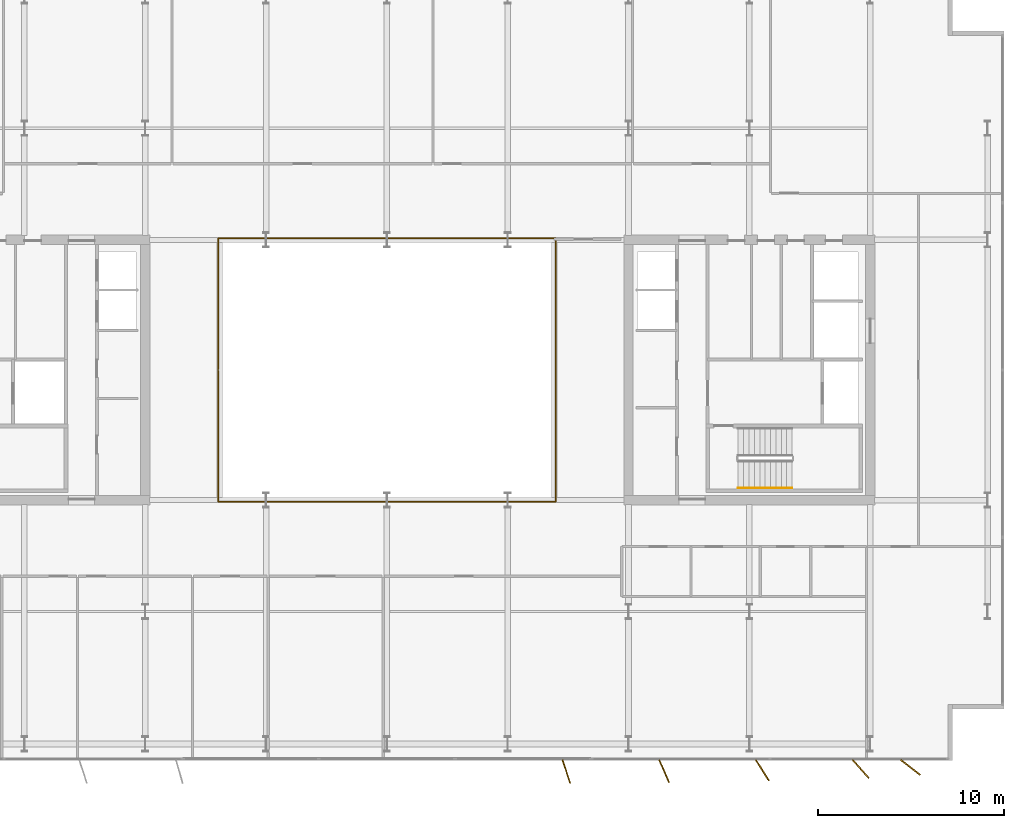
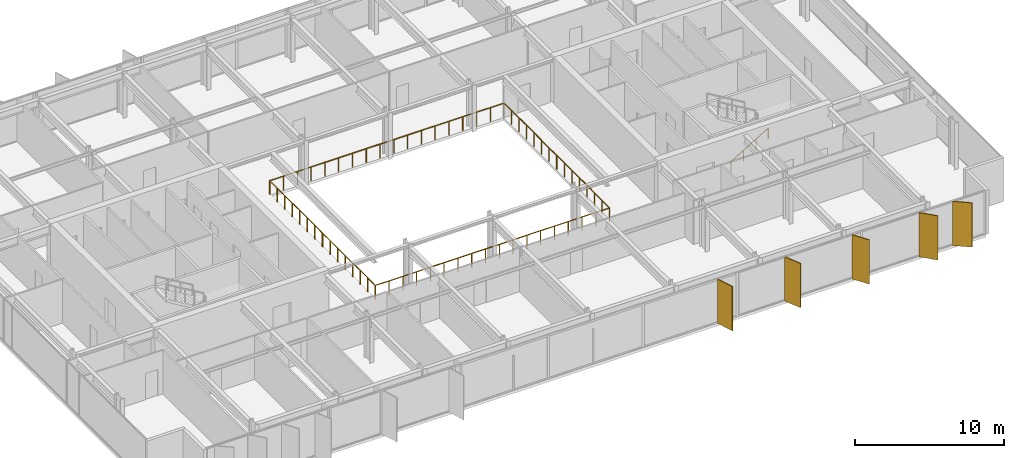
# One storey, part 21 of 23: 5 shading devices, 3 railings.
"""IFC4 building model written with IfcOpenShell, lengths in metres."""

from ifc_helpers import new_model, si_unit, direction, frame, origin, origin_2d, place, context, subcontext, project, spatial, rectangle, circle, extrude, material, layer, layer_set, type_object, element, save


model = new_model("IFC4")

# Units and contexts
model_context = context("Model", 3, precision=1e-05, world=origin(), true_north=direction((0.0, 1.0)))
body_context = subcontext(model_context, "Body", "Model", "MODEL_VIEW")
ifc_project = project(units=[si_unit("LENGTHUNIT", "METRE"), si_unit("AREAUNIT", "SQUARE_METRE"), si_unit("VOLUMEUNIT", "CUBIC_METRE"), si_unit("PLANEANGLEUNIT", "RADIAN"), si_unit("MASSUNIT", "GRAM", prefix="KILO")], contexts=[model_context])

# Site, building, storey
site_placement = place(None, origin())
site = spatial("IfcSite", under=ifc_project, at=site_placement, CompositionType="ELEMENT")
building_placement = place(site_placement, origin())
building = spatial("IfcBuilding", under=site, at=building_placement, Name="Putna Gate Headquarters", CompositionType="ELEMENT")
storey_placement = place(building_placement, frame((0.0, 0.0, 221.39990234375)))
storey = spatial("IfcBuildingStorey", under=building, at=storey_placement, Name="L55", CompositionType="ELEMENT", Elevation=221.39990234375)

# Railings
ifc_material_1 = material(Name="Anodised bronze and laminated glass atrium balustrade", Category="glass")
railing_type_1 = type_object("IfcRailingType", Name="RAIL-ATRIUM-GUARD-1150", PredefinedType="GUARDRAIL", material=ifc_material_1)
railing_1_placement = place(storey_placement, frame((29.919921875, 25.969970703125, 0.0)))
element("IfcRailing", 1, at=railing_1_placement, inside=storey, type_object=railing_type_1, Name="L55 Central Atrium Glazed Balustrade South", PredefinedType="GUARDRAIL", context=body_context, shape_type="SweptSolid", body=[
    extrude(circle(Radius=0.02392578125, at=origin_2d()), frame((0.0, 0.0, 1.1259765625), z_axis=(0.0, -1.0, 0.0), x_axis=(1.0, 0.0, 0.0)), (0.0, 0.0, 1.0), 7.050048828125),
    extrude(circle(Radius=0.02392578125, at=origin_2d()), frame((0.0, -7.050048828125, 1.1259765625), z_axis=(1.0, 0.0, 0.0), x_axis=(0.0, 1.0, 0.0)), (0.0, 0.0, 1.0), 18.16015625),
    extrude(circle(Radius=0.02392578125, at=origin_2d()), frame((18.16015625, -7.050048828125, 1.1259765625), z_axis=(0.0, 1.0, 0.0), x_axis=(-1.0, 0.0, 0.0)), (0.0, 0.0, 1.0), 7.050048828125),
    extrude(circle(Radius=0.02099609375, at=origin_2d()), origin(), (0.0, 0.0, 1.0), 1.101806640625),
    extrude(circle(Radius=0.02099609375, at=origin_2d()), frame((0.0, -1.007080078125, 0.0)), (0.0, 0.0, 1.0), 1.101806640625),
    extrude(circle(Radius=0.02099609375, at=origin_2d()), frame((0.0, -2.014404296875, 0.0)), (0.0, 0.0, 1.0), 1.101806640625),
    extrude(circle(Radius=0.02099609375, at=origin_2d()), frame((0.0, -3.021484375, 0.0)), (0.0, 0.0, 1.0), 1.101806640625),
    extrude(circle(Radius=0.02099609375, at=origin_2d()), frame((0.0, -4.028564453125, 0.0)), (0.0, 0.0, 1.0), 1.101806640625),
    extrude(circle(Radius=0.02099609375, at=origin_2d()), frame((0.0, -5.03564453125, 0.0)), (0.0, 0.0, 1.0), 1.101806640625),
    extrude(circle(Radius=0.02099609375, at=origin_2d()), frame((0.0, -6.04296875, 0.0)), (0.0, 0.0, 1.0), 1.101806640625),
    extrude(circle(Radius=0.02099609375, at=origin_2d()), frame((0.0, -7.050048828125, 0.0)), (0.0, 0.0, 1.0), 1.101806640625),
    extrude(circle(Radius=0.02099609375, at=origin_2d()), frame((1.068359375, -7.050048828125, 0.0)), (0.0, 0.0, 1.0), 1.101806640625),
    extrude(circle(Radius=0.02099609375, at=origin_2d()), frame((2.136474609375, -7.050048828125, 0.0)), (0.0, 0.0, 1.0), 1.101806640625),
    extrude(circle(Radius=0.02099609375, at=origin_2d()), frame((3.204833984375, -7.050048828125, 0.0)), (0.0, 0.0, 1.0), 1.101806640625),
    extrude(circle(Radius=0.02099609375, at=origin_2d()), frame((4.27294921875, -7.050048828125, 0.0)), (0.0, 0.0, 1.0), 1.101806640625),
    extrude(circle(Radius=0.02099609375, at=origin_2d()), frame((5.34130859375, -7.050048828125, 0.0)), (0.0, 0.0, 1.0), 1.101806640625),
    extrude(circle(Radius=0.02099609375, at=origin_2d()), frame((6.409423828125, -7.050048828125, 0.0)), (0.0, 0.0, 1.0), 1.101806640625),
    extrude(circle(Radius=0.02099609375, at=origin_2d()), frame((7.477783203125, -7.050048828125, 0.0)), (0.0, 0.0, 1.0), 1.101806640625),
    extrude(circle(Radius=0.02099609375, at=origin_2d()), frame((8.5458984375, -7.050048828125, 0.0)), (0.0, 0.0, 1.0), 1.101806640625),
    extrude(circle(Radius=0.02099609375, at=origin_2d()), frame((9.6142578125, -7.050048828125, 0.0)), (0.0, 0.0, 1.0), 1.101806640625),
    extrude(circle(Radius=0.02099609375, at=origin_2d()), frame((10.682373046875, -7.050048828125, 0.0)), (0.0, 0.0, 1.0), 1.101806640625),
    extrude(circle(Radius=0.02099609375, at=origin_2d()), frame((11.750732421875, -7.050048828125, 0.0)), (0.0, 0.0, 1.0), 1.101806640625),
    extrude(circle(Radius=0.02099609375, at=origin_2d()), frame((12.81884765625, -7.050048828125, 0.0)), (0.0, 0.0, 1.0), 1.101806640625),
    extrude(circle(Radius=0.02099609375, at=origin_2d()), frame((13.88720703125, -7.050048828125, 0.0)), (0.0, 0.0, 1.0), 1.101806640625),
    extrude(circle(Radius=0.02099609375, at=origin_2d()), frame((14.955322265625, -7.050048828125, 0.0)), (0.0, 0.0, 1.0), 1.101806640625),
    extrude(circle(Radius=0.02099609375, at=origin_2d()), frame((16.023681640625, -7.050048828125, 0.0)), (0.0, 0.0, 1.0), 1.101806640625),
    extrude(circle(Radius=0.02099609375, at=origin_2d()), frame((17.091796875, -7.050048828125, 0.0)), (0.0, 0.0, 1.0), 1.101806640625),
    extrude(circle(Radius=0.02099609375, at=origin_2d()), frame((18.16015625, -7.050048828125, 0.0)), (0.0, 0.0, 1.0), 1.101806640625),
    extrude(circle(Radius=0.02099609375, at=origin_2d()), frame((18.16015625, -6.04296875, 0.0)), (0.0, 0.0, 1.0), 1.101806640625),
    extrude(circle(Radius=0.02099609375, at=origin_2d()), frame((18.16015625, -5.03564453125, 0.0)), (0.0, 0.0, 1.0), 1.101806640625),
    extrude(circle(Radius=0.02099609375, at=origin_2d()), frame((18.16015625, -4.028564453125, 0.0)), (0.0, 0.0, 1.0), 1.101806640625),
    extrude(circle(Radius=0.02099609375, at=origin_2d()), frame((18.16015625, -3.021484375, 0.0)), (0.0, 0.0, 1.0), 1.101806640625),
    extrude(circle(Radius=0.02099609375, at=origin_2d()), frame((18.16015625, -2.014404296875, 0.0)), (0.0, 0.0, 1.0), 1.101806640625),
    extrude(circle(Radius=0.02099609375, at=origin_2d()), frame((18.16015625, -1.007080078125, 0.0)), (0.0, 0.0, 1.0), 1.101806640625),
    extrude(circle(Radius=0.02099609375, at=origin_2d()), frame((18.16015625, 0.0, 0.0)), (0.0, 0.0, 1.0), 1.101806640625),
])
railing_2_placement = place(storey_placement, frame((48.080078125, 26.030029296875, 0.0)))
element("IfcRailing", 2, at=railing_2_placement, inside=storey, type_object=railing_type_1, Name="L55 Central Atrium Glazed Balustrade North", PredefinedType="GUARDRAIL", context=body_context, shape_type="SweptSolid", body=[
    extrude(circle(Radius=0.02392578125, at=origin_2d()), frame((0.0, 0.0, 1.1259765625), z_axis=(0.0, 1.0, 0.0), x_axis=(-1.0, 0.0, 0.0)), (0.0, 0.0, 1.0), 7.050048828125),
    extrude(circle(Radius=0.02392578125, at=origin_2d()), frame((0.0, 7.050048828125, 1.1259765625), z_axis=(-1.0, 0.0, 0.0), x_axis=(0.0, -1.0, 0.0)), (0.0, 0.0, 1.0), 18.16015625),
    extrude(circle(Radius=0.02392578125, at=origin_2d()), frame((-18.16015625, 7.050048828125, 1.1259765625), z_axis=(0.0, -1.0, 0.0), x_axis=(1.0, 0.0, 0.0)), (0.0, 0.0, 1.0), 7.050048828125),
    extrude(circle(Radius=0.02099609375, at=origin_2d()), origin(), (0.0, 0.0, 1.0), 1.101806640625),
    extrude(circle(Radius=0.02099609375, at=origin_2d()), frame((0.0, 1.007080078125, 0.0)), (0.0, 0.0, 1.0), 1.101806640625),
    extrude(circle(Radius=0.02099609375, at=origin_2d()), frame((0.0, 2.014404296875, 0.0)), (0.0, 0.0, 1.0), 1.101806640625),
    extrude(circle(Radius=0.02099609375, at=origin_2d()), frame((0.0, 3.021484375, 0.0)), (0.0, 0.0, 1.0), 1.101806640625),
    extrude(circle(Radius=0.02099609375, at=origin_2d()), frame((0.0, 4.028564453125, 0.0)), (0.0, 0.0, 1.0), 1.101806640625),
    extrude(circle(Radius=0.02099609375, at=origin_2d()), frame((0.0, 5.03564453125, 0.0)), (0.0, 0.0, 1.0), 1.101806640625),
    extrude(circle(Radius=0.02099609375, at=origin_2d()), frame((0.0, 6.04296875, 0.0)), (0.0, 0.0, 1.0), 1.101806640625),
    extrude(circle(Radius=0.02099609375, at=origin_2d()), frame((0.0, 7.050048828125, 0.0)), (0.0, 0.0, 1.0), 1.101806640625),
    extrude(circle(Radius=0.02099609375, at=origin_2d()), frame((-1.068359375, 7.050048828125, 0.0)), (0.0, 0.0, 1.0), 1.101806640625),
    extrude(circle(Radius=0.02099609375, at=origin_2d()), frame((-2.136474609375, 7.050048828125, 0.0)), (0.0, 0.0, 1.0), 1.101806640625),
    extrude(circle(Radius=0.02099609375, at=origin_2d()), frame((-3.204833984375, 7.050048828125, 0.0)), (0.0, 0.0, 1.0), 1.101806640625),
    extrude(circle(Radius=0.02099609375, at=origin_2d()), frame((-4.27294921875, 7.050048828125, 0.0)), (0.0, 0.0, 1.0), 1.101806640625),
    extrude(circle(Radius=0.02099609375, at=origin_2d()), frame((-5.34130859375, 7.050048828125, 0.0)), (0.0, 0.0, 1.0), 1.101806640625),
    extrude(circle(Radius=0.02099609375, at=origin_2d()), frame((-6.409423828125, 7.050048828125, 0.0)), (0.0, 0.0, 1.0), 1.101806640625),
    extrude(circle(Radius=0.02099609375, at=origin_2d()), frame((-7.477783203125, 7.050048828125, 0.0)), (0.0, 0.0, 1.0), 1.101806640625),
    extrude(circle(Radius=0.02099609375, at=origin_2d()), frame((-8.5458984375, 7.050048828125, 0.0)), (0.0, 0.0, 1.0), 1.101806640625),
    extrude(circle(Radius=0.02099609375, at=origin_2d()), frame((-9.6142578125, 7.050048828125, 0.0)), (0.0, 0.0, 1.0), 1.101806640625),
    extrude(circle(Radius=0.02099609375, at=origin_2d()), frame((-10.682373046875, 7.050048828125, 0.0)), (0.0, 0.0, 1.0), 1.101806640625),
    extrude(circle(Radius=0.02099609375, at=origin_2d()), frame((-11.750732421875, 7.050048828125, 0.0)), (0.0, 0.0, 1.0), 1.101806640625),
    extrude(circle(Radius=0.02099609375, at=origin_2d()), frame((-12.81884765625, 7.050048828125, 0.0)), (0.0, 0.0, 1.0), 1.101806640625),
    extrude(circle(Radius=0.02099609375, at=origin_2d()), frame((-13.88720703125, 7.050048828125, 0.0)), (0.0, 0.0, 1.0), 1.101806640625),
    extrude(circle(Radius=0.02099609375, at=origin_2d()), frame((-14.955322265625, 7.050048828125, 0.0)), (0.0, 0.0, 1.0), 1.101806640625),
    extrude(circle(Radius=0.02099609375, at=origin_2d()), frame((-16.023681640625, 7.050048828125, 0.0)), (0.0, 0.0, 1.0), 1.101806640625),
    extrude(circle(Radius=0.02099609375, at=origin_2d()), frame((-17.091796875, 7.050048828125, 0.0)), (0.0, 0.0, 1.0), 1.101806640625),
    extrude(circle(Radius=0.02099609375, at=origin_2d()), frame((-18.16015625, 7.050048828125, 0.0)), (0.0, 0.0, 1.0), 1.101806640625),
    extrude(circle(Radius=0.02099609375, at=origin_2d()), frame((-18.16015625, 6.04296875, 0.0)), (0.0, 0.0, 1.0), 1.101806640625),
    extrude(circle(Radius=0.02099609375, at=origin_2d()), frame((-18.16015625, 5.03564453125, 0.0)), (0.0, 0.0, 1.0), 1.101806640625),
    extrude(circle(Radius=0.02099609375, at=origin_2d()), frame((-18.16015625, 4.028564453125, 0.0)), (0.0, 0.0, 1.0), 1.101806640625),
    extrude(circle(Radius=0.02099609375, at=origin_2d()), frame((-18.16015625, 3.021484375, 0.0)), (0.0, 0.0, 1.0), 1.101806640625),
    extrude(circle(Radius=0.02099609375, at=origin_2d()), frame((-18.16015625, 2.014404296875, 0.0)), (0.0, 0.0, 1.0), 1.101806640625),
    extrude(circle(Radius=0.02099609375, at=origin_2d()), frame((-18.16015625, 1.007080078125, 0.0)), (0.0, 0.0, 1.0), 1.101806640625),
    extrude(circle(Radius=0.02099609375, at=origin_2d()), frame((-18.16015625, 0.0, 0.0)), (0.0, 0.0, 1.0), 1.101806640625),
])
ifc_material_2 = material(Name="Brushed stainless steel handrail", Category="steel")
railing_type_2 = type_object("IfcRailingType", Name="RAIL-STAIR-HAND-900", PredefinedType="HANDRAIL", material=ifc_material_2)
railing_3_placement = place(storey_placement, frame((57.89990234375, 19.64990234375, 0.1728515625)))
element("IfcRailing", 3, at=railing_3_placement, inside=storey, type_object=railing_type_2, Name="L55 ST2 stair handrail 1", PredefinedType="HANDRAIL", context=body_context, shape_type="SweptSolid", body=[
    extrude(circle(Radius=0.02392578125, at=origin_2d()), frame((0.0, 0.0, 0.8759765625), z_axis=(0.859160404282, 0.0, 0.51170636083), x_axis=(0.0, 1.0, 0.0)), (0.0, 0.0, 1.0), 3.37548828125),
    extrude(circle(Radius=0.02099609375, at=origin_2d()), origin(), (0.0, 0.0, 1.0), 0.851806640625),
    extrude(circle(Radius=0.02099609375, at=origin_2d()), frame((0.966796875, 0.0, 0.57568359375)), (0.0, 0.0, 1.0), 0.851806640625),
    extrude(circle(Radius=0.02099609375, at=origin_2d()), frame((1.933349609375, 0.0, 1.151611328125)), (0.0, 0.0, 1.0), 0.851806640625),
    extrude(circle(Radius=0.02099609375, at=origin_2d()), frame((2.900146484375, 0.0, 1.727294921875)), (0.0, 0.0, 1.0), 0.851806640625),
])

# Shading devices
ifc_material_3 = material(Name="Anodised architectural bronze aluminium fin", Category="aluminium")
ifc_layer = layer(ifc_material_3, 0.06494140625)
ifc_layer_set = layer_set([ifc_layer], Name="Anodised architectural bronze aluminium fin")
shading_device_type = type_object("IfcShadingDeviceType", Name="SHADE-BRONZE-FIN-1320", PredefinedType="USERDEFINED", material=ifc_layer_set)
for number, where, z_axis, x_axis, name in (
    (4, (48.65380859375, 4.397216796875, -0.02001953125), (0.0, 0.0, 1.0), (0.308684994204, -0.951164325631, 0.0), "L55 Bronze Vertical Shading Fin S7"),
    (5, (53.914306640625, 4.42041015625, -0.02001953125), (0.0, 0.0, 1.0), (0.400668879095, -0.916222925562, 0.0), "L55 Bronze Vertical Shading Fin S8"),
    (6, (59.2001953125, 4.465576171875, -0.02001953125), (0.0, 0.0, 1.0), (0.530659123936, -0.847585331506, 0.0), "L55 Bronze Vertical Shading Fin S9"),
    (7, (64.49169921875, 4.534423828125, -0.02001953125), (0.0, 0.0, 1.0), (0.669130606359, -0.743144825477, 0.0), "L55 Bronze Vertical Shading Fin S10"),
    (8, (67.169677734375, 4.6181640625, -0.02001953125), (0.0, 0.0, 1.0), (0.787473187632, -0.616348909921, 0.0), "L55 Bronze Vertical Shading Fin S11"),
):
    element("IfcShadingDevice", number, at=place(storey_placement, frame(where, z_axis=z_axis, x_axis=x_axis)), inside=storey, type_object=shading_device_type, Name=name, ObjectType="FIN", PredefinedType="USERDEFINED", context=body_context, shape_type="SweptSolid", body=[
        extrude(rectangle(XDim=1.320068359375, YDim=0.06494140625, at=origin_2d()), origin(), (0.0, 0.0, 1.0), 3.6201171875),
    ])

save(model, "model.ifc")
